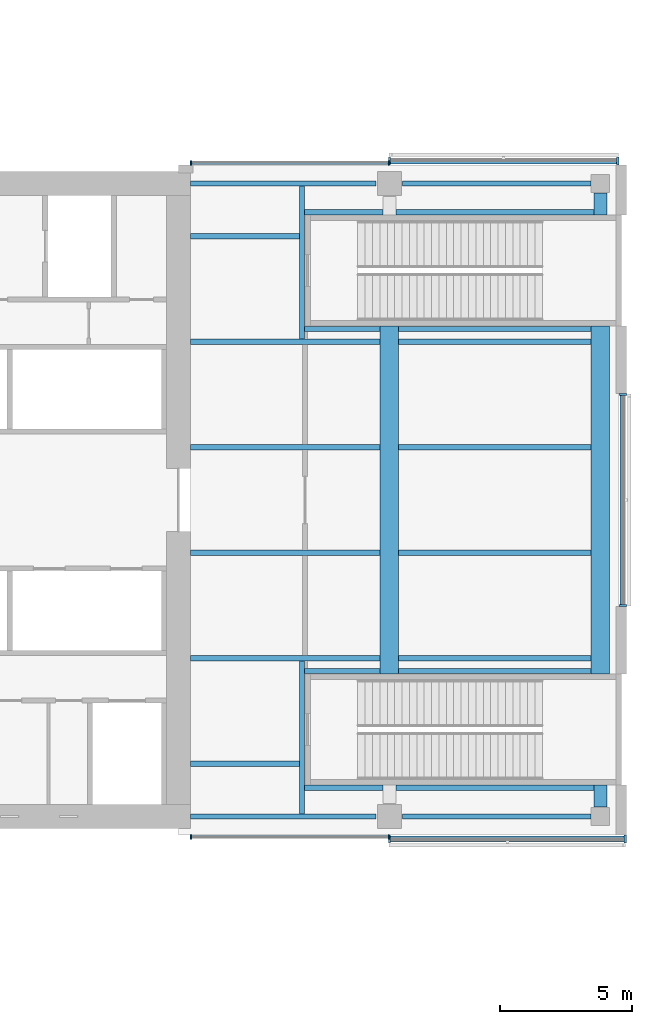
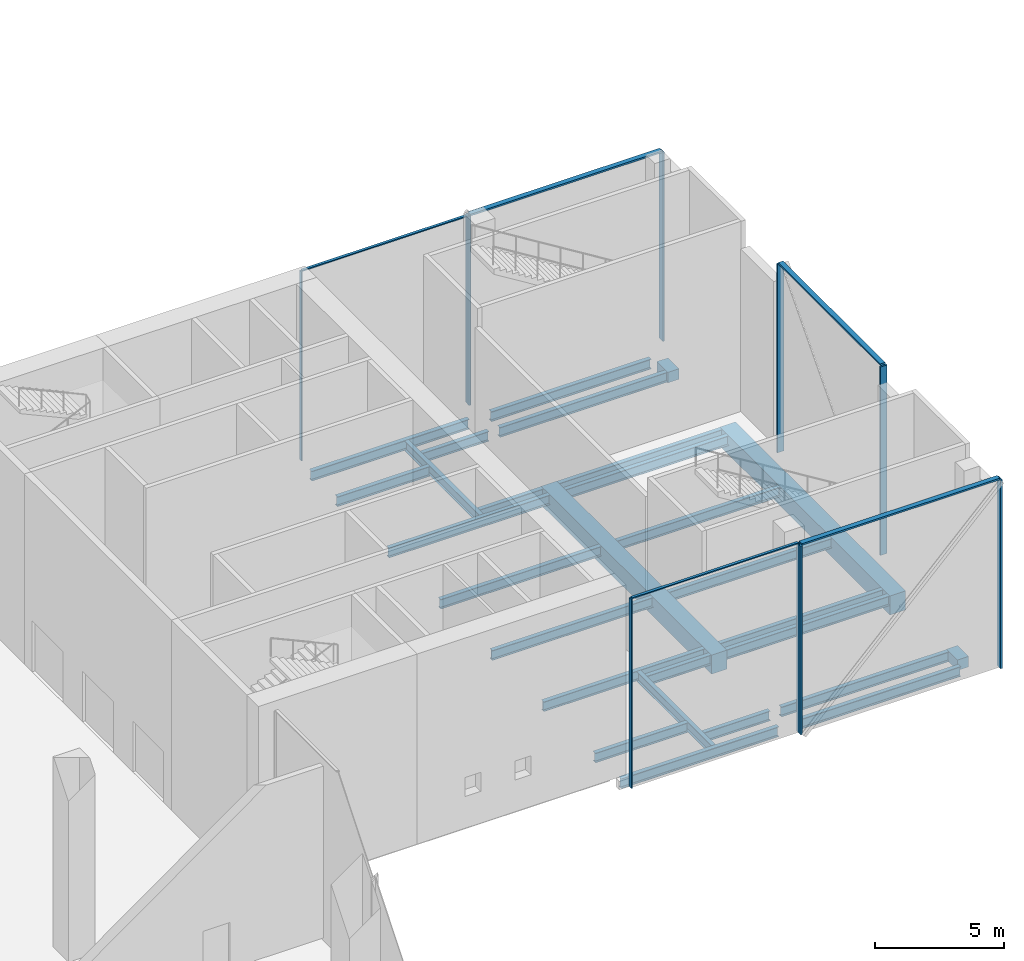
# One storey, part 7 of 26: 28 beams, 15 members, 5 elements without a shape of their own.
"""IFC4 building model written with IfcOpenShell, lengths in metres."""

from ifc_helpers import new_model, si_unit, direction, frame, origin, origin_2d, place, context, subcontext, project, spatial, rectangle, i_section, extrude, material, material_profile, profile_set, type_object, element, aggregate, save


model = new_model("IFC4")

# Units and contexts
model_context = context("Model", 3, precision=1e-05, world=origin(), true_north=direction((0.0, 1.0)))
body_context = subcontext(model_context, "Body", "Model", "MODEL_VIEW")
ifc_project = project(units=[si_unit("LENGTHUNIT", "METRE"), si_unit("AREAUNIT", "SQUARE_METRE"), si_unit("VOLUMEUNIT", "CUBIC_METRE"), si_unit("PLANEANGLEUNIT", "RADIAN"), si_unit("MASSUNIT", "GRAM", prefix="KILO")], contexts=[model_context])

# Site, building, storey
site_placement = place(None, origin())
site = spatial("IfcSite", under=ifc_project, at=site_placement, CompositionType="ELEMENT")
building_placement = place(site_placement, origin())
building = spatial("IfcBuilding", under=site, at=building_placement, Name="Crosswind Convention Tower", CompositionType="ELEMENT")
storey_placement = place(building_placement, frame((0.0, 0.0, 25.0)))
storey = spatial("IfcBuildingStorey", under=building, at=storey_placement, Name="L03", CompositionType="ELEMENT", Elevation=25.0)

# Beams
ifc_material_1 = material(Name="Steel S355", Category="steel")
ifc_material_profile_1 = material_profile(ifc_material_1, i_section(OverallWidth=0.19287109375, OverallDepth=0.467529296875, WebThickness=0.011474609375, FlangeThickness=0.01953125, FilletRadius=0.01025390625, at=origin_2d()), Name="UB 457x191x98")
ifc_profile_set_1 = profile_set([ifc_material_profile_1], Name="Steel S355")
beam_type_1 = type_object("IfcBeamType", Name="Edge beam UB 457x191x98", PredefinedType="SPANDREL", material=ifc_profile_set_1)
for number, where, z_axis, x_axis, name in (
    (1, (153.449951171875, 88.0, -0.6337890625), (1.0, 0.0, 0.0), (0.0, 1.0, 0.0), "B20 L03 edge beam 21"),
    (2, (153.449951171875, 112.0, -0.6337890625), (1.0, 0.0, 0.0), (0.0, 1.0, 0.0), "B20 L03 edge beam 22"),
):
    element("IfcBeam", number, at=place(storey_placement, frame(where, z_axis=z_axis, x_axis=x_axis)), inside=storey, type_object=beam_type_1, Name=name, PredefinedType="SPANDREL", context=body_context, shape_type="SweptSolid", body=[
        extrude(i_section(OverallWidth=0.19287109375, OverallDepth=0.467529296875, WebThickness=0.011474609375, FlangeThickness=0.01953125, FilletRadius=0.01025390625, at=origin_2d()), origin(), (0.0, 0.0, 1.0), 7.050048828125),
    ])
for number, where, z_axis, x_axis, name in (
    (3, (161.5, 88.0, -0.6337890625), (1.0, 0.0, 0.0), (0.0, 1.0, 0.0), "B20 L03 edge beam 23"),
    (4, (161.5, 112.0, -0.6337890625), (1.0, 0.0, 0.0), (0.0, 1.0, 0.0), "B20 L03 edge beam 24"),
):
    element("IfcBeam", number, at=place(storey_placement, frame(where, z_axis=z_axis, x_axis=x_axis)), inside=storey, type_object=beam_type_1, Name=name, PredefinedType="SPANDREL", context=body_context, shape_type="SweptSolid", body=[
        extrude(i_section(OverallWidth=0.19287109375, OverallDepth=0.467529296875, WebThickness=0.011474609375, FlangeThickness=0.01953125, FilletRadius=0.01025390625, at=origin_2d()), origin(), (0.0, 0.0, 1.0), 7.14990234375),
    ])

# Curtain wall, members
ifc_material_2 = material(Name="Aluminium unitised curtain wall", Category="aluminium")
curtain_wall_type_1 = type_object("IfcCurtainWallType", Name="CORE END SLOT WALL 160", PredefinedType="USERDEFINED", material=ifc_material_2)
curtain_wall_1_placement = place(storey_placement, origin())
curtain_wall_1 = element("IfcCurtainWall", 5, at=curtain_wall_1_placement, inside=storey, type_object=curtain_wall_type_1, Name="CW6 L03 E-N.1-2 slot", ObjectType="UNITISED", PredefinedType="USERDEFINED")
ifc_material_3 = material(Name="Aluminium mullion", Category="aluminium")
ifc_material_profile_2 = material_profile(ifc_material_3, rectangle(XDim=0.159912109375, YDim=0.050048828125, at=origin_2d()), Name="AL 160X50")
ifc_profile_set_2 = profile_set([ifc_material_profile_2], Name="Aluminium mullion")
member_type_1 = type_object("IfcMemberType", Name="MULLION 50X160", PredefinedType="MULLION", material=ifc_profile_set_2)
member_1_placement = place(storey_placement, frame((160.97509765625, 112.780029296875, -0.39990234375), z_axis=(0.0, 0.0, 1.0), x_axis=(0.0, 1.0, 0.0)))
member_1 = element("IfcMember", 6, at=member_1_placement, type_object=member_type_1, Name="CW6 mullion 1", PredefinedType="MULLION", context=body_context, shape_type="SweptSolid", body=[
    extrude(rectangle(XDim=0.159912109375, YDim=0.050048828125, at=origin_2d()), origin(), (0.0, 0.0, 1.0), 8.949951171875),
])
member_2_placement = place(storey_placement, frame((153.47509765625, 112.780029296875, -0.39990234375), z_axis=(0.0, 0.0, 1.0), x_axis=(0.0, 1.0, 0.0)))
member_2 = element("IfcMember", 7, at=member_2_placement, type_object=member_type_1, Name="CW6 mullion 2", PredefinedType="MULLION", context=body_context, shape_type="SweptSolid", body=[
    extrude(rectangle(XDim=0.159912109375, YDim=0.050048828125, at=origin_2d()), origin(), (0.0, 0.0, 1.0), 8.949951171875),
])

curtain_wall_2_placement = place(storey_placement, origin())
curtain_wall_2 = element("IfcCurtainWall", 8, at=curtain_wall_2_placement, inside=storey, type_object=curtain_wall_type_1, Name="CW6 L03 E-S.2-1 slot", ObjectType="UNITISED", PredefinedType="USERDEFINED")
member_3_placement = place(storey_placement, frame((153.47509765625, 87.219970703125, -0.39990234375), z_axis=(0.0, 0.0, 1.0), x_axis=(0.0, -1.0, 0.0)))
member_3 = element("IfcMember", 9, at=member_3_placement, type_object=member_type_1, Name="CW6 mullion 1", PredefinedType="MULLION", context=body_context, shape_type="SweptSolid", body=[
    extrude(rectangle(XDim=0.159912109375, YDim=0.050048828125, at=origin_2d()), origin(), (0.0, 0.0, 1.0), 8.949951171875),
])
member_4_placement = place(storey_placement, frame((160.97509765625, 87.219970703125, -0.39990234375), z_axis=(0.0, 0.0, 1.0), x_axis=(0.0, -1.0, 0.0)))
member_4 = element("IfcMember", 10, at=member_4_placement, type_object=member_type_1, Name="CW6 mullion 2", PredefinedType="MULLION", context=body_context, shape_type="SweptSolid", body=[
    extrude(rectangle(XDim=0.159912109375, YDim=0.050048828125, at=origin_2d()), origin(), (0.0, 0.0, 1.0), 8.949951171875),
])

curtain_wall_type_2 = type_object("IfcCurtainWallType", Name="PODIUM UNITISED WALL 300", PredefinedType="USERDEFINED", material=ifc_material_2)
curtain_wall_3_placement = place(storey_placement, origin())
curtain_wall_3 = element("IfcCurtainWall", 11, at=curtain_wall_3_placement, inside=storey, type_object=curtain_wall_type_2, Name="CW1 L03 E-TIP 1", ObjectType="UNITISED", PredefinedType="USERDEFINED")
ifc_material_profile_3 = material_profile(ifc_material_3, rectangle(XDim=0.300048828125, YDim=0.080078125, at=origin_2d()), Name="AL 300X80")
ifc_profile_set_3 = profile_set([ifc_material_profile_3], Name="Aluminium mullion")
member_type_2 = type_object("IfcMemberType", Name="MULLION 80X300", PredefinedType="MULLION", material=ifc_profile_set_3)
member_5_placement = place(storey_placement, frame((169.85009765625, 96.0, -0.39990234375), z_axis=(0.0, 0.0, 1.0), x_axis=(1.0, 0.0, 0.0)))
member_5 = element("IfcMember", 12, at=member_5_placement, type_object=member_type_2, Name="CW1 mullion 1", PredefinedType="MULLION", context=body_context, shape_type="SweptSolid", body=[
    extrude(rectangle(XDim=0.300048828125, YDim=0.080078125, at=origin_2d()), origin(), (0.0, 0.0, 1.0), 8.919921875),
])
member_6_placement = place(storey_placement, frame((169.85009765625, 104.0, -0.39990234375), z_axis=(0.0, 0.0, 1.0), x_axis=(1.0, 0.0, 0.0)))
member_6 = element("IfcMember", 13, at=member_6_placement, type_object=member_type_2, Name="CW1 mullion 2", PredefinedType="MULLION", context=body_context, shape_type="SweptSolid", body=[
    extrude(rectangle(XDim=0.300048828125, YDim=0.080078125, at=origin_2d()), origin(), (0.0, 0.0, 1.0), 8.919921875),
])

curtain_wall_4_placement = place(storey_placement, origin())
curtain_wall_4 = element("IfcCurtainWall", 14, at=curtain_wall_4_placement, inside=storey, type_object=curtain_wall_type_2, Name="CW1 L03 E-N 1", ObjectType="UNITISED", PredefinedType="USERDEFINED")
member_7_placement = place(storey_placement, frame((169.659912109375, 112.85009765625, -0.39990234375), z_axis=(0.0, 0.0, 1.0), x_axis=(0.0, 1.0, 0.0)))
member_7 = element("IfcMember", 15, at=member_7_placement, type_object=member_type_2, Name="CW1 mullion 1", PredefinedType="MULLION", context=body_context, shape_type="SweptSolid", body=[
    extrude(rectangle(XDim=0.300048828125, YDim=0.080078125, at=origin_2d()), origin(), (0.0, 0.0, 1.0), 8.919921875),
])
member_8_placement = place(storey_placement, frame((161.0, 112.85009765625, -0.39990234375), z_axis=(0.0, 0.0, 1.0), x_axis=(0.0, 1.0, 0.0)))
member_8 = element("IfcMember", 16, at=member_8_placement, type_object=member_type_2, Name="CW1 mullion 2", PredefinedType="MULLION", context=body_context, shape_type="SweptSolid", body=[
    extrude(rectangle(XDim=0.300048828125, YDim=0.080078125, at=origin_2d()), origin(), (0.0, 0.0, 1.0), 8.919921875),
])

curtain_wall_5_placement = place(storey_placement, origin())
curtain_wall_5 = element("IfcCurtainWall", 17, at=curtain_wall_5_placement, inside=storey, type_object=curtain_wall_type_2, Name="CW1 L03 E-S 2", ObjectType="UNITISED", PredefinedType="USERDEFINED")
member_9_placement = place(storey_placement, frame((161.0, 87.14990234375, -0.39990234375), z_axis=(0.0, 0.0, 1.0), x_axis=(0.0, -1.0, 0.0)))
member_9 = element("IfcMember", 18, at=member_9_placement, type_object=member_type_2, Name="CW1 mullion 1", PredefinedType="MULLION", context=body_context, shape_type="SweptSolid", body=[
    extrude(rectangle(XDim=0.300048828125, YDim=0.080078125, at=origin_2d()), origin(), (0.0, 0.0, 1.0), 8.919921875),
])
member_10_placement = place(storey_placement, frame((169.945068359375, 87.14990234375, -0.39990234375), z_axis=(0.0, 0.0, 1.0), x_axis=(0.0, -1.0, 0.0)))
member_10 = element("IfcMember", 19, at=member_10_placement, type_object=member_type_2, Name="CW1 mullion 2", PredefinedType="MULLION", context=body_context, shape_type="SweptSolid", body=[
    extrude(rectangle(XDim=0.300048828125, YDim=0.080078125, at=origin_2d()), origin(), (0.0, 0.0, 1.0), 8.919921875),
])

# Beams
ifc_material_4 = material(Name="Concrete C60/75", Category="concrete")
ifc_material_profile_4 = material_profile(ifc_material_4, rectangle(XDim=0.699951171875, YDim=0.89990234375, at=origin_2d()), Name="RC 700X900")
ifc_profile_set_4 = profile_set([ifc_material_profile_4], Name="Concrete C60/75")
beam_type_2 = type_object("IfcBeamType", Name="Prestressed concrete girder between stair walls RC 700X900", PredefinedType="BEAM", material=ifc_profile_set_4)
for number, where, z_axis, x_axis, name in (
    (20, (161.0, 93.39990234375, -0.85009765625), (0.0, 1.0, 0.0), (-1.0, 0.0, 0.0), "B41 L03 prestressed concrete girder between stair walls 7"),
    (21, (169.0, 93.39990234375, -0.85009765625), (0.0, 1.0, 0.0), (-1.0, 0.0, 0.0), "B41 L03 prestressed concrete girder between stair walls 8"),
):
    element("IfcBeam", number, at=place(storey_placement, frame(where, z_axis=z_axis, x_axis=x_axis)), inside=storey, type_object=beam_type_2, Name=name, PredefinedType="BEAM", context=body_context, shape_type="SweptSolid", body=[
        extrude(rectangle(XDim=0.699951171875, YDim=0.89990234375, at=origin_2d()), origin(), (0.0, 0.0, 1.0), 13.2001953125),
    ])
ifc_material_profile_5 = material_profile(ifc_material_1, i_section(OverallWidth=0.19140625, OverallDepth=0.460205078125, WebThickness=0.010009765625, FlangeThickness=0.01611328125, FilletRadius=0.01025390625, at=origin_2d()), Name="UB 457x191x82")
ifc_profile_set_5 = profile_set([ifc_material_profile_5], Name="Steel S355")
beam_type_3 = type_object("IfcBeamType", Name="Secondary beam UB 457x191x82", PredefinedType="JOIST", material=ifc_profile_set_5)
beam_1_placement = place(storey_placement, frame((153.449951171875, 90.0, -0.630126953125), z_axis=(1.0, 0.0, 0.0), x_axis=(0.0, 1.0, 0.0)))
element("IfcBeam", 22, at=beam_1_placement, inside=storey, type_object=beam_type_3, Name="B13 L03 secondary beam 64", PredefinedType="JOIST", context=body_context, shape_type="SweptSolid", body=[
    extrude(i_section(OverallWidth=0.19140625, OverallDepth=0.460205078125, WebThickness=0.010009765625, FlangeThickness=0.01611328125, FilletRadius=0.01025390625, at=origin_2d()), origin(), (0.0, 0.0, 1.0), 4.14404296875),
])
for number, where, z_axis, x_axis, name in (
    (23, (153.449951171875, 94.0, -0.630126953125), (1.0, 0.0, 0.0), (0.0, 1.0, 0.0), "B13 L03 secondary beam 65"),
    (24, (153.449951171875, 98.0, -0.630126953125), (1.0, 0.0, 0.0), (0.0, 1.0, 0.0), "B13 L03 secondary beam 66"),
    (25, (153.449951171875, 102.0, -0.630126953125), (1.0, 0.0, 0.0), (0.0, 1.0, 0.0), "B13 L03 secondary beam 67"),
    (26, (153.449951171875, 106.0, -0.630126953125), (1.0, 0.0, 0.0), (0.0, 1.0, 0.0), "B13 L03 secondary beam 68"),
):
    element("IfcBeam", number, at=place(storey_placement, frame(where, z_axis=z_axis, x_axis=x_axis)), inside=storey, type_object=beam_type_3, Name=name, PredefinedType="JOIST", context=body_context, shape_type="SweptSolid", body=[
        extrude(i_section(OverallWidth=0.19140625, OverallDepth=0.460205078125, WebThickness=0.010009765625, FlangeThickness=0.01611328125, FilletRadius=0.01025390625, at=origin_2d()), origin(), (0.0, 0.0, 1.0), 7.199951171875),
    ])
beam_2_placement = place(storey_placement, frame((153.449951171875, 110.0, -0.630126953125), z_axis=(1.0, 0.0, 0.0), x_axis=(0.0, 1.0, 0.0)))
element("IfcBeam", 27, at=beam_2_placement, inside=storey, type_object=beam_type_3, Name="B13 L03 secondary beam 69", PredefinedType="JOIST", context=body_context, shape_type="SweptSolid", body=[
    extrude(i_section(OverallWidth=0.19140625, OverallDepth=0.460205078125, WebThickness=0.010009765625, FlangeThickness=0.01611328125, FilletRadius=0.01025390625, at=origin_2d()), origin(), (0.0, 0.0, 1.0), 4.14404296875),
])
for number, where, z_axis, x_axis, name in (
    (28, (161.35009765625, 94.0, -0.630126953125), (1.0, 0.0, 0.0), (0.0, 1.0, 0.0), "B13 L03 secondary beam 70"),
    (29, (161.35009765625, 98.0, -0.630126953125), (1.0, 0.0, 0.0), (0.0, 1.0, 0.0), "B13 L03 secondary beam 71"),
    (30, (161.35009765625, 102.0, -0.630126953125), (1.0, 0.0, 0.0), (0.0, 1.0, 0.0), "B13 L03 secondary beam 72"),
    (31, (161.35009765625, 106.0, -0.630126953125), (1.0, 0.0, 0.0), (0.0, 1.0, 0.0), "B13 L03 secondary beam 73"),
):
    element("IfcBeam", number, at=place(storey_placement, frame(where, z_axis=z_axis, x_axis=x_axis)), inside=storey, type_object=beam_type_3, Name=name, PredefinedType="JOIST", context=body_context, shape_type="SweptSolid", body=[
        extrude(i_section(OverallWidth=0.19140625, OverallDepth=0.460205078125, WebThickness=0.010009765625, FlangeThickness=0.01611328125, FilletRadius=0.01025390625, at=origin_2d()), origin(), (0.0, 0.0, 1.0), 7.2998046875),
    ])
ifc_material_profile_6 = material_profile(ifc_material_4, rectangle(XDim=0.5, YDim=0.5, at=origin_2d()), Name="RC 500X500")
ifc_profile_set_6 = profile_set([ifc_material_profile_6], Name="Concrete C60/75")
beam_type_4 = type_object("IfcBeamType", Name="Slab edge tie beam RC 500X500", PredefinedType="BEAM", material=ifc_profile_set_6)
for number, where, z_axis, x_axis, name in (
    (32, (169.0, 88.35009765625, -0.64990234375), (0.0, 1.0, 0.0), (-1.0, 0.0, 0.0), "B42 L03 slab edge tie beam 15"),
    (33, (169.0, 110.800048828125, -0.64990234375), (0.0, 1.0, 0.0), (-1.0, 0.0, 0.0), "B42 L03 slab edge tie beam 16"),
):
    element("IfcBeam", number, at=place(storey_placement, frame(where, z_axis=z_axis, x_axis=x_axis)), inside=storey, type_object=beam_type_4, Name=name, PredefinedType="BEAM", context=body_context, shape_type="SweptSolid", body=[
        extrude(rectangle(XDim=0.5, YDim=0.5, at=origin_2d()), origin(), (0.0, 0.0, 1.0), 0.849853515625),
    ])

# Member
ifc_material_5 = material(Name="Aluminium transom", Category="aluminium")
ifc_material_profile_7 = material_profile(ifc_material_5, rectangle(XDim=0.1201171875, YDim=0.050048828125, at=origin_2d()), Name="AL 120X50")
ifc_profile_set_7 = profile_set([ifc_material_profile_7], Name="Aluminium transom")
member_type_3 = type_object("IfcMemberType", Name="TRANSOM 50X120", PredefinedType="USERDEFINED", material=ifc_profile_set_7)
member_11_placement = place(storey_placement, frame((160.949951171875, 112.780029296875, 8.574951171875), z_axis=(-1.0, 0.0, 0.0), x_axis=(0.0, -1.0, 0.0)))
member_11 = element("IfcMember", 34, at=member_11_placement, type_object=member_type_3, Name="CW6 transom", ObjectType="TRANSOM", PredefinedType="USERDEFINED", context=body_context, shape_type="SweptSolid", body=[
    extrude(rectangle(XDim=0.1201171875, YDim=0.050048828125, at=origin_2d()), origin(), (0.0, 0.0, 1.0), 7.449951171875),
])

aggregate(curtain_wall_1, [member_1, member_2, member_11])

member_12_placement = place(storey_placement, frame((153.5, 87.219970703125, 8.574951171875), z_axis=(1.0, 0.0, 0.0), x_axis=(0.0, 1.0, 0.0)))
member_12 = element("IfcMember", 35, at=member_12_placement, type_object=member_type_3, Name="CW6 transom", ObjectType="TRANSOM", PredefinedType="USERDEFINED", context=body_context, shape_type="SweptSolid", body=[
    extrude(rectangle(XDim=0.1201171875, YDim=0.050048828125, at=origin_2d()), origin(), (0.0, 0.0, 1.0), 7.449951171875),
])

aggregate(curtain_wall_2, [member_3, member_4, member_12])

ifc_material_profile_8 = material_profile(ifc_material_5, rectangle(XDim=0.219970703125, YDim=0.080078125, at=origin_2d()), Name="AL 220X80")
ifc_profile_set_8 = profile_set([ifc_material_profile_8], Name="Aluminium transom")
member_type_4 = type_object("IfcMemberType", Name="TRANSOM 80X220", PredefinedType="USERDEFINED", material=ifc_profile_set_8)
member_13_placement = place(storey_placement, frame((169.85009765625, 96.0400390625, 8.56005859375), z_axis=(0.0, 1.0, 0.0), x_axis=(-1.0, 0.0, 0.0)))
member_13 = element("IfcMember", 36, at=member_13_placement, type_object=member_type_4, Name="CW1 transom", ObjectType="TRANSOM", PredefinedType="USERDEFINED", context=body_context, shape_type="SweptSolid", body=[
    extrude(rectangle(XDim=0.219970703125, YDim=0.080078125, at=origin_2d()), origin(), (0.0, 0.0, 1.0), 7.919921875),
])

aggregate(curtain_wall_3, [member_5, member_6, member_13])

member_14_placement = place(storey_placement, frame((169.6201171875, 112.85009765625, 8.56005859375), z_axis=(-1.0, 0.0, 0.0), x_axis=(0.0, -1.0, 0.0)))
member_14 = element("IfcMember", 37, at=member_14_placement, type_object=member_type_4, Name="CW1 transom", ObjectType="TRANSOM", PredefinedType="USERDEFINED", context=body_context, shape_type="SweptSolid", body=[
    extrude(rectangle(XDim=0.219970703125, YDim=0.080078125, at=origin_2d()), origin(), (0.0, 0.0, 1.0), 8.580078125),
])

aggregate(curtain_wall_4, [member_7, member_8, member_14])

member_15_placement = place(storey_placement, frame((161.0400390625, 87.14990234375, 8.56005859375), z_axis=(1.0, 0.0, 0.0), x_axis=(0.0, 1.0, 0.0)))
member_15 = element("IfcMember", 38, at=member_15_placement, type_object=member_type_4, Name="CW1 transom", ObjectType="TRANSOM", PredefinedType="USERDEFINED", context=body_context, shape_type="SweptSolid", body=[
    extrude(rectangle(XDim=0.219970703125, YDim=0.080078125, at=origin_2d()), origin(), (0.0, 0.0, 1.0), 8.864990234375),
])

aggregate(curtain_wall_5, [member_9, member_10, member_15])

# Beams
ifc_material_profile_9 = material_profile(ifc_material_1, i_section(OverallWidth=0.19189453125, OverallDepth=0.463623046875, WebThickness=0.010498046875, FlangeThickness=0.017578125, FilletRadius=0.01025390625, at=origin_2d()), Name="UB 457x191x90")
ifc_profile_set_9 = profile_set([ifc_material_profile_9], Name="Steel S355")
beam_type_5 = type_object("IfcBeamType", Name="Trimmer beam UB 457x191x90", PredefinedType="BEAM", material=ifc_profile_set_9)
for number, where, z_axis, x_axis, name in (
    (39, (157.68994140625, 88.096435546875, -0.6318359375), (0.0, 1.0, 0.0), (-1.0, 0.0, 0.0), "B33 L03 trimmer beam 31"),
    (40, (157.68994140625, 106.095703125, -0.6318359375), (0.0, 1.0, 0.0), (-1.0, 0.0, 0.0), "B33 L03 trimmer beam 32"),
):
    element("IfcBeam", number, at=place(storey_placement, frame(where, z_axis=z_axis, x_axis=x_axis)), inside=storey, type_object=beam_type_5, Name=name, PredefinedType="BEAM", context=body_context, shape_type="SweptSolid", body=[
        extrude(i_section(OverallWidth=0.19189453125, OverallDepth=0.463623046875, WebThickness=0.010498046875, FlangeThickness=0.017578125, FilletRadius=0.01025390625, at=origin_2d()), origin(), (0.0, 0.0, 1.0), 5.807861328125),
    ])
beam_3_placement = place(storey_placement, frame((157.785888671875, 89.090087890625, -0.6318359375), z_axis=(1.0, 0.0, 0.0), x_axis=(0.0, 1.0, 0.0)))
element("IfcBeam", 41, at=beam_3_placement, inside=storey, type_object=beam_type_5, Name="B33 L03 trimmer beam 33", PredefinedType="BEAM", context=body_context, shape_type="SweptSolid", body=[
    extrude(i_section(OverallWidth=0.19189453125, OverallDepth=0.463623046875, WebThickness=0.010498046875, FlangeThickness=0.017578125, FilletRadius=0.01025390625, at=origin_2d()), origin(), (0.0, 0.0, 1.0), 2.964111328125),
])
for number, where, z_axis, x_axis, name in (
    (42, (157.785888671875, 93.510009765625, -0.6318359375), (1.0, 0.0, 0.0), (0.0, 1.0, 0.0), "B33 L03 trimmer beam 34"),
    (43, (157.785888671875, 106.489990234375, -0.6318359375), (1.0, 0.0, 0.0), (0.0, 1.0, 0.0), "B33 L03 trimmer beam 35"),
):
    element("IfcBeam", number, at=place(storey_placement, frame(where, z_axis=z_axis, x_axis=x_axis)), inside=storey, type_object=beam_type_5, Name=name, PredefinedType="BEAM", context=body_context, shape_type="SweptSolid", body=[
        extrude(i_section(OverallWidth=0.19189453125, OverallDepth=0.463623046875, WebThickness=0.010498046875, FlangeThickness=0.017578125, FilletRadius=0.01025390625, at=origin_2d()), origin(), (0.0, 0.0, 1.0), 2.864013671875),
    ])
beam_4_placement = place(storey_placement, frame((157.785888671875, 110.909912109375, -0.6318359375), z_axis=(1.0, 0.0, 0.0), x_axis=(0.0, 1.0, 0.0)))
element("IfcBeam", 44, at=beam_4_placement, inside=storey, type_object=beam_type_5, Name="B33 L03 trimmer beam 36", PredefinedType="BEAM", context=body_context, shape_type="SweptSolid", body=[
    extrude(i_section(OverallWidth=0.19189453125, OverallDepth=0.463623046875, WebThickness=0.010498046875, FlangeThickness=0.017578125, FilletRadius=0.01025390625, at=origin_2d()), origin(), (0.0, 0.0, 1.0), 2.964111328125),
])
for number, where, z_axis, x_axis, name in (
    (45, (161.25, 89.090087890625, -0.6318359375), (1.0, 0.0, 0.0), (0.0, 1.0, 0.0), "B33 L03 trimmer beam 37"),
    (46, (161.25, 110.909912109375, -0.6318359375), (1.0, 0.0, 0.0), (0.0, 1.0, 0.0), "B33 L03 trimmer beam 38"),
):
    element("IfcBeam", number, at=place(storey_placement, frame(where, z_axis=z_axis, x_axis=x_axis)), inside=storey, type_object=beam_type_5, Name=name, PredefinedType="BEAM", context=body_context, shape_type="SweptSolid", body=[
        extrude(i_section(OverallWidth=0.19189453125, OverallDepth=0.463623046875, WebThickness=0.010498046875, FlangeThickness=0.017578125, FilletRadius=0.01025390625, at=origin_2d()), origin(), (0.0, 0.0, 1.0), 7.5),
    ])
for number, where, z_axis, x_axis, name in (
    (47, (161.35009765625, 93.510009765625, -0.6318359375), (1.0, 0.0, 0.0), (0.0, 1.0, 0.0), "B33 L03 trimmer beam 39"),
    (48, (161.35009765625, 106.489990234375, -0.6318359375), (1.0, 0.0, 0.0), (0.0, 1.0, 0.0), "B33 L03 trimmer beam 40"),
):
    element("IfcBeam", number, at=place(storey_placement, frame(where, z_axis=z_axis, x_axis=x_axis)), inside=storey, type_object=beam_type_5, Name=name, PredefinedType="BEAM", context=body_context, shape_type="SweptSolid", body=[
        extrude(i_section(OverallWidth=0.19189453125, OverallDepth=0.463623046875, WebThickness=0.010498046875, FlangeThickness=0.017578125, FilletRadius=0.01025390625, at=origin_2d()), origin(), (0.0, 0.0, 1.0), 7.2998046875),
    ])

save(model, "model.ifc")
